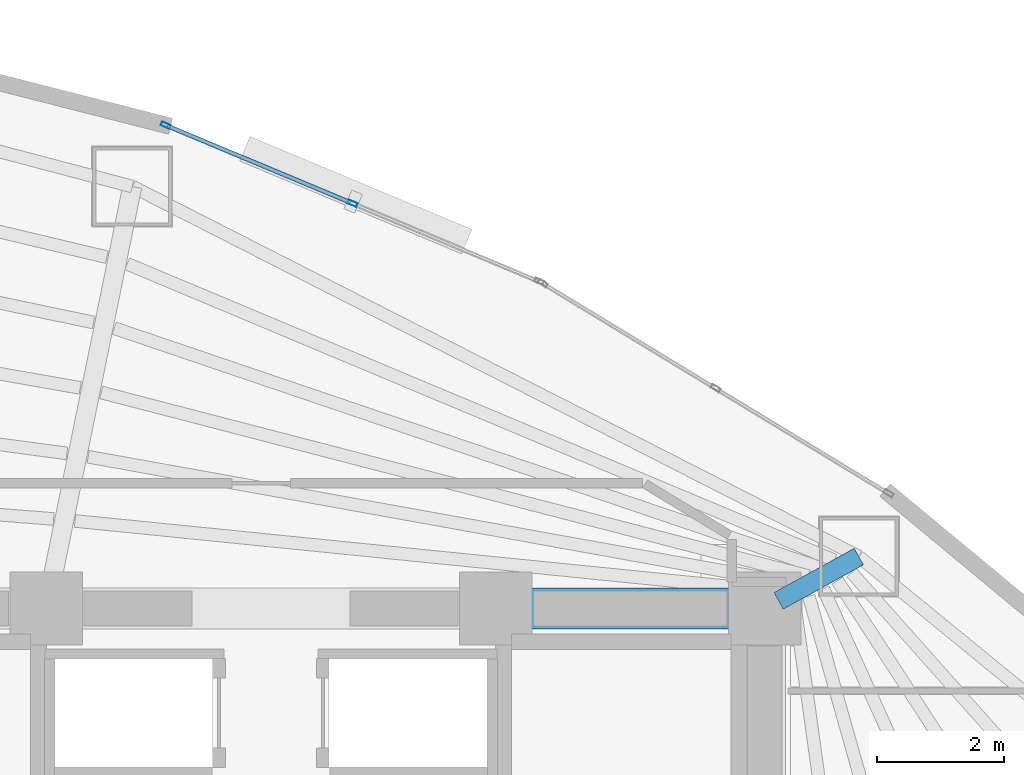
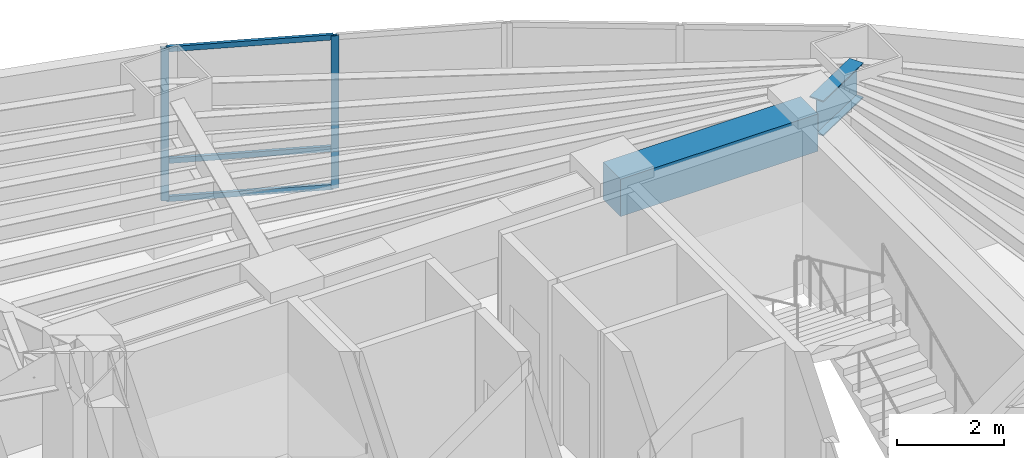
# One storey, part 9 of 18: 5 members, 2 beams, 1 element without a shape of its own.
"""IFC4 building model written with IfcOpenShell, lengths in metres."""

from ifc_helpers import new_model, si_unit, direction, frame, origin, origin_2d, place, context, subcontext, project, spatial, rectangle, hollow_rectangle, i_section, extrude, material, layer, layer_set, material_profile, profile_set, type_object, element, aggregate, save


model = new_model("IFC4")

# Units and contexts
model_context = context("Model", 3, precision=1e-05, world=origin(), true_north=direction((0.0, 1.0)))
body_context = subcontext(model_context, "Body", "Model", "MODEL_VIEW")
ifc_project = project(units=[si_unit("LENGTHUNIT", "METRE"), si_unit("AREAUNIT", "SQUARE_METRE"), si_unit("VOLUMEUNIT", "CUBIC_METRE"), si_unit("PLANEANGLEUNIT", "RADIAN"), si_unit("MASSUNIT", "GRAM", prefix="KILO")], contexts=[model_context])

# Site, building, storey
site_placement = place(None, origin())
site = spatial("IfcSite", under=ifc_project, at=site_placement, CompositionType="ELEMENT")
building_placement = place(site_placement, origin())
building = spatial("IfcBuilding", under=site, at=building_placement, Name="Menara Vayukalpa", CompositionType="ELEMENT")
storey_placement = place(building_placement, frame((0.0, 0.0, 89.10009765625)))
storey = spatial("IfcBuildingStorey", under=building, at=storey_placement, Name="L21", CompositionType="ELEMENT", Elevation=89.10009765625)

# Beams
ifc_material_1 = material(Name="Concrete C60/75", Category="concrete")
ifc_material_profile_1 = material_profile(ifc_material_1, rectangle(XDim=0.64990234375, YDim=0.85009765625, at=origin_2d()), Name="RC 650x850")
ifc_profile_set_1 = profile_set([ifc_material_profile_1], Name="Concrete C60/75")
beam_type_1 = type_object("IfcBeamType", Name="BM-CB1", PredefinedType="BEAM", material=ifc_profile_set_1)
beam_1_placement = place(storey_placement, frame((29.14990234375, 26.800048828125, 3.044921875), z_axis=(1.0, 0.0, 0.0), x_axis=(0.0, 1.0, 0.0)))
element("IfcBeam", 1, at=beam_1_placement, inside=storey, type_object=beam_type_1, Name="L21 Core Tie Beam CBR6", PredefinedType="BEAM", context=body_context, shape_type="SweptSolid", body=[
    extrude(rectangle(XDim=0.64990234375, YDim=0.85009765625, at=origin_2d()), origin(), (0.0, 0.0, 1.0), 4.25),
])
ifc_material_2 = material(Name="Steel S355", Category="steel")
ifc_material_profile_2 = material_profile(ifc_material_2, i_section(OverallWidth=0.300048828125, OverallDepth=0.800048828125, WebThickness=0.013916015625, FlangeThickness=0.02587890625, at=origin_2d()), Name="WF 800x300x14x26")
ifc_profile_set_2 = profile_set([ifc_material_profile_2], Name="Steel S355")
beam_type_2 = type_object("IfcBeamType", Name="BM-PG3", PredefinedType="BEAM", material=ifc_profile_set_2)
beam_2_placement = place(storey_placement, frame((33.618896484375, 26.9208984375, 3.06982421875), z_axis=(0.875228391676, 0.48370989488, 0.0), x_axis=(-0.48370989488, 0.875228391676, 0.0)))
element("IfcBeam", 2, at=beam_2_placement, inside=storey, type_object=beam_type_2, Name="L21 Primary Radial Girder RG02", PredefinedType="BEAM", context=body_context, shape_type="SweptSolid", body=[
    extrude(i_section(OverallWidth=0.300048828125, OverallDepth=0.800048828125, WebThickness=0.013916015625, FlangeThickness=0.02587890625, at=origin_2d()), origin(), (0.0, 0.0, 1.0), 1.448486328125),
])

# Curtain wall, members
ifc_material_3 = material(Name="Anodised Terracotta Aluminium Alloy 6063-T6", Category="masonry")
ifc_layer = layer(ifc_material_3, 0.14990234375)
ifc_layer_set = layer_set([ifc_layer], Name="Anodised Terracotta Aluminium Alloy 6063-T6")
curtain_wall_type = type_object("IfcCurtainWallType", Name="CW-CW3", PredefinedType="USERDEFINED", material=ifc_layer_set)
curtain_wall_placement = place(storey_placement, origin())
curtain_wall = element("IfcCurtainWall", 3, at=curtain_wall_placement, inside=storey, type_object=curtain_wall_type, Name="L21 Mid Rise Terracotta Ribbon Curtain Wall CW3 05", ObjectType="UNITISED", PredefinedType="USERDEFINED")
ifc_material_4 = material(Name="Anodised Terracotta Aluminium Alloy 6063-T6", Category="masonry")
ifc_material_profile_3 = material_profile(ifc_material_4, hollow_rectangle(XDim=0.06494140625, YDim=0.14990234375, WallThickness=0.00341796875, at=origin_2d()), Name="ALU 65x150x3.5")
ifc_profile_set_3 = profile_set([ifc_material_profile_3], Name="Anodised Terracotta Aluminium Alloy 6063-T6")
member_type_1 = type_object("IfcMemberType", Name="CWM-CW3", PredefinedType="MULLION", material=ifc_profile_set_3)
member_1_placement = place(storey_placement, frame((26.88671875, 33.201416015625, 0.0), z_axis=(0.0, 0.0, 1.0), x_axis=(-0.38589358437, -0.922543300632, 0.0)))
member_1 = element("IfcMember", 4, at=member_1_placement, type_object=member_type_1, Name="CW3 mullion 2", PredefinedType="MULLION", context=body_context, shape_type="SweptSolid", body=[
    extrude(hollow_rectangle(XDim=0.06494140625, YDim=0.14990234375, WallThickness=0.00341796875, at=origin_2d()), origin(), (0.0, 0.0, 1.0), 3.469970703125),
])
member_2_placement = place(storey_placement, frame((23.9375, 34.43505859375, 0.0), z_axis=(0.0, 0.0, 1.0), x_axis=(-0.38589358437, -0.922543300632, 0.0)))
member_2 = element("IfcMember", 5, at=member_2_placement, type_object=member_type_1, Name="CW3 mullion 3", PredefinedType="MULLION", context=body_context, shape_type="SweptSolid", body=[
    extrude(hollow_rectangle(XDim=0.06494140625, YDim=0.14990234375, WallThickness=0.00341796875, at=origin_2d()), origin(), (0.0, 0.0, 1.0), 3.469970703125),
])
ifc_material_5 = material(Name="Anodised Terracotta Aluminium Alloy 6063-T6", Category="masonry")
ifc_material_profile_4 = material_profile(ifc_material_5, hollow_rectangle(XDim=0.06494140625, YDim=0.1201171875, WallThickness=0.00341796875, at=origin_2d()), Name="ALU 65x120x3.5")
ifc_profile_set_4 = profile_set([ifc_material_profile_4], Name="Anodised Terracotta Aluminium Alloy 6063-T6")
member_type_2 = type_object("IfcMemberType", Name="CWT-CW3", PredefinedType="USERDEFINED", material=ifc_profile_set_4)
member_3_placement = place(storey_placement, frame((26.856689453125, 33.2138671875, 0.032470703125), z_axis=(-0.922529423765, 0.385926757673, 0.0), x_axis=(-0.385926757673, -0.922529423765, 0.0)))
member_3 = element("IfcMember", 6, at=member_3_placement, type_object=member_type_2, Name="CW3 transom 2.1", ObjectType="TRANSOM", PredefinedType="USERDEFINED", context=body_context, shape_type="SweptSolid", body=[
    extrude(hollow_rectangle(XDim=0.06494140625, YDim=0.1201171875, WallThickness=0.00341796875, at=origin_2d()), origin(), (0.0, 0.0, 1.0), 3.132080078125),
])
member_4_placement = place(storey_placement, frame((26.856689453125, 33.2138671875, 0.89990234375), z_axis=(-0.922529423765, 0.385926757673, 0.0), x_axis=(-0.385926757673, -0.922529423765, 0.0)))
member_4 = element("IfcMember", 7, at=member_4_placement, type_object=member_type_2, Name="CW3 transom 2.2", ObjectType="TRANSOM", PredefinedType="USERDEFINED", context=body_context, shape_type="SweptSolid", body=[
    extrude(hollow_rectangle(XDim=0.06494140625, YDim=0.1201171875, WallThickness=0.00341796875, at=origin_2d()), origin(), (0.0, 0.0, 1.0), 3.132080078125),
])
member_5_placement = place(storey_placement, frame((26.856689453125, 33.2138671875, 3.4375), z_axis=(-0.922529423765, 0.385926757673, 0.0), x_axis=(-0.385926757673, -0.922529423765, 0.0)))
member_5 = element("IfcMember", 8, at=member_5_placement, type_object=member_type_2, Name="CW3 transom 2.3", ObjectType="TRANSOM", PredefinedType="USERDEFINED", context=body_context, shape_type="SweptSolid", body=[
    extrude(hollow_rectangle(XDim=0.06494140625, YDim=0.1201171875, WallThickness=0.00341796875, at=origin_2d()), origin(), (0.0, 0.0, 1.0), 3.132080078125),
])
aggregate(curtain_wall, [member_1, member_2, member_3, member_4, member_5])

save(model, "model.ifc")
